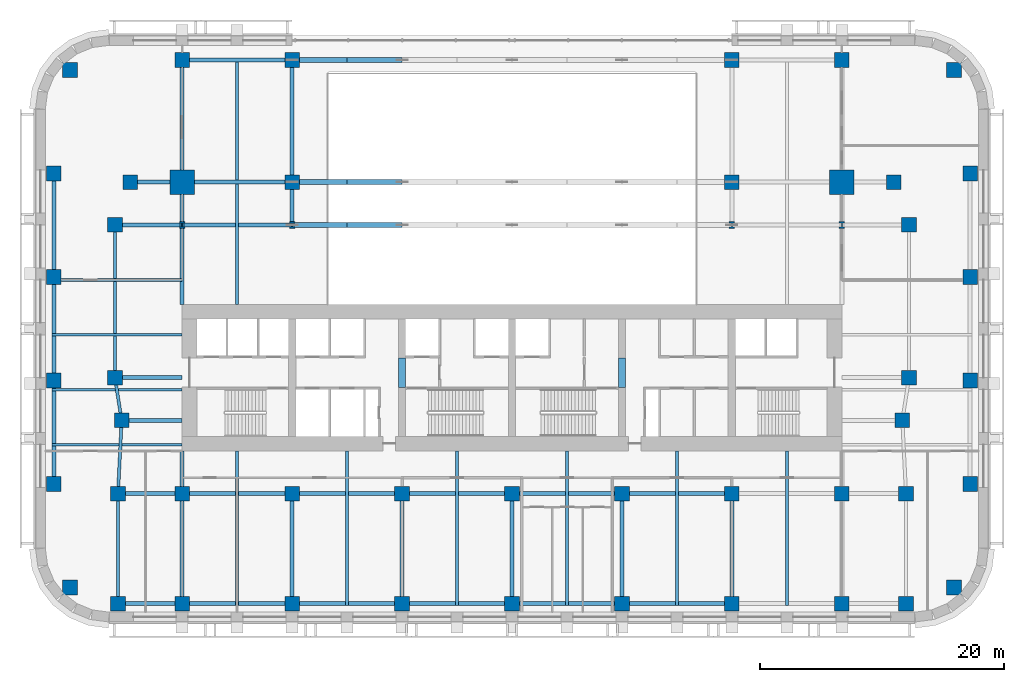
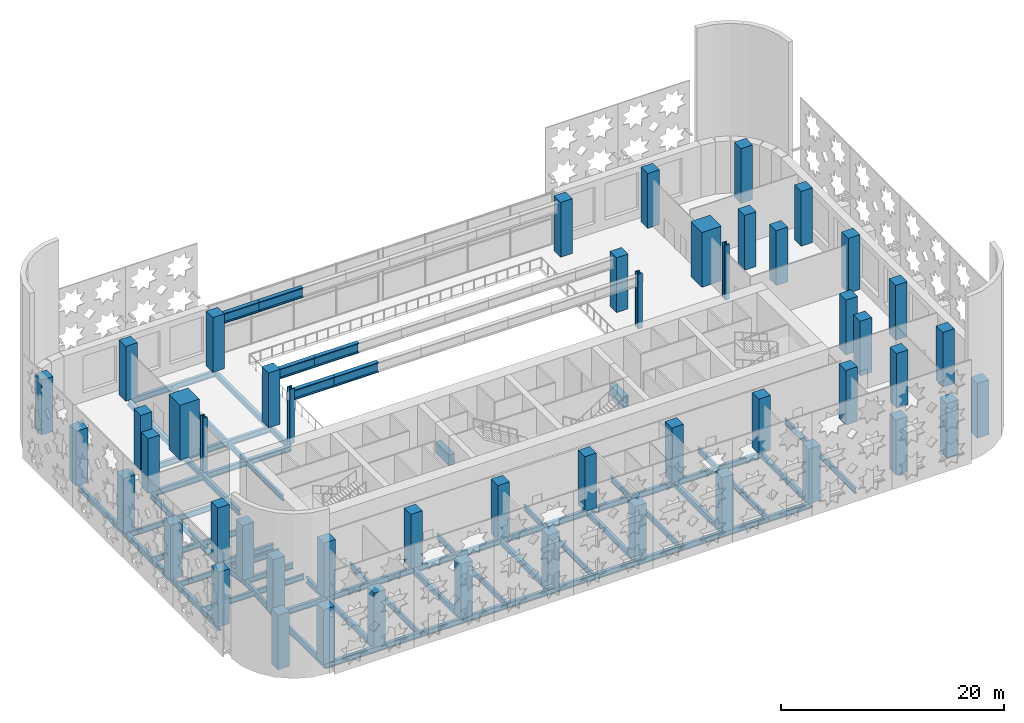
# One storey, part 1 of 17: 50 columns, 39 beams, 6 members.
"""IFC4 building model written with IfcOpenShell, lengths in metres."""

from ifc_helpers import new_model, si_unit, direction, frame, origin, origin_2d, place, context, subcontext, project, spatial, rectangle, i_section, extrude, material, material_profile, profile_set, type_object, element, save


model = new_model("IFC4")

# Units and contexts
model_context = context("Model", 3, precision=1e-05, world=origin(), true_north=direction((0.0, 1.0)))
body_context = subcontext(model_context, "Body", "Model", "MODEL_VIEW")
ifc_project = project(units=[si_unit("LENGTHUNIT", "METRE"), si_unit("AREAUNIT", "SQUARE_METRE"), si_unit("VOLUMEUNIT", "CUBIC_METRE"), si_unit("PLANEANGLEUNIT", "RADIAN"), si_unit("MASSUNIT", "GRAM", prefix="KILO")], contexts=[model_context])

# Site, building, storey
site_placement = place(None, origin())
site = spatial("IfcSite", under=ifc_project, at=site_placement, CompositionType="ELEMENT")
building_placement = place(site_placement, origin())
building = spatial("IfcBuilding", under=site, at=building_placement, Name="Zellij Exchange Tower", CompositionType="ELEMENT")
storey_placement = place(building_placement, frame((0.0, 0.0, 21.0)))
storey = spatial("IfcBuildingStorey", under=building, at=storey_placement, Name="L03", CompositionType="ELEMENT", Elevation=21.0)

# Columns
ifc_material_1 = material(Name="Concrete C70/85", Category="concrete")
ifc_material_profile_1 = material_profile(ifc_material_1, rectangle(XDim=1.199951171875, YDim=1.199951171875, at=origin_2d()), Name="STR-COLUMN RC1200x1200 C70/85")
ifc_profile_set_1 = profile_set([ifc_material_profile_1], Name="Concrete C70/85")
column_type_1 = type_object("IfcColumnType", Name="STR-COLUMN RC1200x1200 C70/85", PredefinedType="COLUMN", material=ifc_profile_set_1)
for number, where, z_axis, x_axis, name in (
    (1, (-32.25, -26.5, 0.0), (0.0, 0.0, 1.0), (1.0, 0.0, 0.0), "C12"),
    (2, (-27.0, -26.5, 0.0), (0.0, 0.0, 1.0), (1.0, 0.0, 0.0), "C12"),
    (3, (-18.0, -26.5, 0.0), (0.0, 0.0, 1.0), (1.0, 0.0, 0.0), "C12"),
    (4, (-9.0, -26.5, 0.0), (0.0, 0.0, 1.0), (1.0, 0.0, 0.0), "C12"),
    (5, (0.0, -26.5, 0.0), (0.0, 0.0, 1.0), (1.0, 0.0, 0.0), "C12"),
    (6, (9.0, -26.5, 0.0), (0.0, 0.0, 1.0), (1.0, 0.0, 0.0), "C12"),
    (7, (18.0, -26.5, 0.0), (0.0, 0.0, 1.0), (1.0, 0.0, 0.0), "C12"),
    (8, (27.0, -26.5, 0.0), (0.0, 0.0, 1.0), (1.0, 0.0, 0.0), "C12"),
    (9, (32.25, -26.5, 0.0), (0.0, 0.0, 1.0), (1.0, 0.0, 0.0), "C12"),
    (10, (-36.181884765625, -25.181884765625, 0.0), (0.0, 0.0, 1.0), (1.0, 0.0, 0.0), "C12"),
    (11, (36.181884765625, -25.181884765625, 0.0), (0.0, 0.0, 1.0), (1.0, 0.0, 0.0), "C12"),
    (12, (-32.25, -17.5, 0.0), (0.0, 0.0, 1.0), (1.0, 0.0, 0.0), "C12"),
    (13, (-27.0, -17.5, 0.0), (0.0, 0.0, 1.0), (1.0, 0.0, 0.0), "C12"),
    (14, (-18.0, -17.5, 0.0), (0.0, 0.0, 1.0), (1.0, 0.0, 0.0), "C12"),
    (15, (-9.0, -17.5, 0.0), (0.0, 0.0, 1.0), (1.0, 0.0, 0.0), "C12"),
    (16, (0.0, -17.5, 0.0), (0.0, 0.0, 1.0), (1.0, 0.0, 0.0), "C12"),
    (17, (9.0, -17.5, 0.0), (0.0, 0.0, 1.0), (1.0, 0.0, 0.0), "C12"),
    (18, (18.0, -17.5, 0.0), (0.0, 0.0, 1.0), (1.0, 0.0, 0.0), "C12"),
    (19, (27.0, -17.5, 0.0), (0.0, 0.0, 1.0), (1.0, 0.0, 0.0), "C12"),
    (20, (32.25, -17.5, 0.0), (0.0, 0.0, 1.0), (1.0, 0.0, 0.0), "C12"),
    (21, (-37.5, -16.709228515625, 0.0), (0.0, 0.0, 1.0), (1.0, 0.0, 0.0), "C12"),
    (22, (37.5, -16.709228515625, 0.0), (0.0, 0.0, 1.0), (1.0, 0.0, 0.0), "C12"),
    (23, (-31.949951171875, -11.5, 0.0), (0.0, 0.0, 1.0), (1.0, 0.0, 0.0), "C12"),
    (24, (31.949951171875, -11.5, 0.0), (0.0, 0.0, 1.0), (1.0, 0.0, 0.0), "C12"),
    (25, (-37.5, -8.236328125, 0.0), (0.0, 0.0, 1.0), (1.0, 0.0, 0.0), "C12"),
    (26, (37.5, -8.236328125, 0.0), (0.0, 0.0, 1.0), (1.0, 0.0, 0.0), "C12"),
    (27, (-32.5, -8.0, 0.0), (0.0, 0.0, 1.0), (1.0, 0.0, 0.0), "C12"),
    (28, (32.5, -8.0, 0.0), (0.0, 0.0, 1.0), (1.0, 0.0, 0.0), "C12"),
    (29, (-37.5, 0.236328125, 0.0), (0.0, 0.0, 1.0), (1.0, 0.0, 0.0), "C12"),
    (30, (37.5, 0.236328125, 0.0), (0.0, 0.0, 1.0), (1.0, 0.0, 0.0), "C12"),
    (31, (-32.5, 4.5, 0.0), (0.0, 0.0, 1.0), (1.0, 0.0, 0.0), "C12"),
    (32, (32.5, 4.5, 0.0), (0.0, 0.0, 1.0), (1.0, 0.0, 0.0), "C12"),
    (33, (-31.25, 8.0, 0.0), (0.0, 0.0, 1.0), (1.0, 0.0, 0.0), "C12"),
    (34, (-18.0, 8.0, 0.0), (0.0, 0.0, 1.0), (1.0, 0.0, 0.0), "C12"),
    (35, (18.0, 8.0, 0.0), (0.0, 0.0, 1.0), (1.0, 0.0, 0.0), "C12"),
    (36, (31.25, 8.0, 0.0), (0.0, 0.0, 1.0), (1.0, 0.0, 0.0), "C12"),
    (37, (-37.5, 8.709228515625, 0.0), (0.0, 0.0, 1.0), (1.0, 0.0, 0.0), "C12"),
    (38, (37.5, 8.709228515625, 0.0), (0.0, 0.0, 1.0), (1.0, 0.0, 0.0), "C12"),
    (39, (-36.181884765625, 17.181884765625, 0.0), (0.0, 0.0, 1.0), (1.0, 0.0, 0.0), "C12"),
    (40, (36.181884765625, 17.181884765625, 0.0), (0.0, 0.0, 1.0), (1.0, 0.0, 0.0), "C12"),
    (41, (-27.0, 18.0, 0.0), (0.0, 0.0, 1.0), (1.0, 0.0, 0.0), "C12"),
    (42, (-18.0, 18.0, 0.0), (0.0, 0.0, 1.0), (1.0, 0.0, 0.0), "C12"),
    (43, (18.0, 18.0, 0.0), (0.0, 0.0, 1.0), (1.0, 0.0, 0.0), "C12"),
    (44, (27.0, 18.0, 0.0), (0.0, 0.0, 1.0), (1.0, 0.0, 0.0), "C12"),
):
    element("IfcColumn", number, at=place(storey_placement, frame(where, z_axis=z_axis, x_axis=x_axis)), inside=storey, type_object=column_type_1, Name=name, PredefinedType="COLUMN", context=body_context, shape_type="SweptSolid", body=[
        extrude(rectangle(XDim=1.199951171875, YDim=1.199951171875, at=origin_2d()), origin(), (0.0, 0.0, 1.0), 6.0),
    ])
ifc_material_2 = material(Name="Structural steel ASTM A913 Gr 65", Category="steel")
ifc_material_profile_2 = material_profile(ifc_material_2, i_section(OverallWidth=0.45458984375, OverallDepth=0.56884765625, WebThickness=0.077880859375, FlangeThickness=0.124755859375, at=origin_2d()), Name="W14x730")
ifc_profile_set_2 = profile_set([ifc_material_profile_2], Name="Structural steel ASTM A913 Gr 65")
column_type_2 = type_object("IfcColumnType", Name="STR-COLUMN W14x730", PredefinedType="COLUMN", material=ifc_profile_set_2)
for number, where, z_axis, x_axis, name in (
    (45, (-27.0, 4.5, 0.0), (0.0, 0.0, 1.0), (1.0, 0.0, 0.0), "C7"),
    (46, (-18.0, 4.5, 0.0), (0.0, 0.0, 1.0), (1.0, 0.0, 0.0), "C7"),
    (47, (18.0, 4.5, 0.0), (0.0, 0.0, 1.0), (1.0, 0.0, 0.0), "C7"),
    (48, (27.0, 4.5, 0.0), (0.0, 0.0, 1.0), (1.0, 0.0, 0.0), "C7"),
):
    element("IfcColumn", number, at=place(storey_placement, frame(where, z_axis=z_axis, x_axis=x_axis)), inside=storey, type_object=column_type_2, Name=name, PredefinedType="COLUMN", context=body_context, shape_type="SweptSolid", body=[
        extrude(i_section(OverallWidth=0.45458984375, OverallDepth=0.56884765625, WebThickness=0.077880859375, FlangeThickness=0.124755859375, at=origin_2d()), origin(), (0.0, 0.0, 1.0), 6.0),
    ])
ifc_material_profile_3 = material_profile(ifc_material_1, rectangle(XDim=2.0, YDim=2.0, at=origin_2d()), Name="STR-MEGA COLUMN RC2000x2000 C70/85")
ifc_profile_set_3 = profile_set([ifc_material_profile_3], Name="Concrete C70/85")
column_type_3 = type_object("IfcColumnType", Name="STR-MEGA COLUMN RC2000x2000 C70/85", PredefinedType="COLUMN", material=ifc_profile_set_3)
for number, where, z_axis, x_axis, name in (
    (49, (-27.0, 8.0, 0.0), (0.0, 0.0, 1.0), (1.0, 0.0, 0.0), "MC8"),
    (50, (27.0, 8.0, 0.0), (0.0, 0.0, 1.0), (1.0, 0.0, 0.0), "MC8"),
):
    element("IfcColumn", number, at=place(storey_placement, frame(where, z_axis=z_axis, x_axis=x_axis)), inside=storey, type_object=column_type_3, Name=name, PredefinedType="COLUMN", context=body_context, shape_type="SweptSolid", body=[
        extrude(rectangle(XDim=2.0, YDim=2.0, at=origin_2d()), origin(), (0.0, 0.0, 1.0), 6.0),
    ])

# Beams
ifc_material_profile_4 = material_profile(ifc_material_1, rectangle(XDim=0.60009765625, YDim=1.199951171875, at=origin_2d()), Name="CORE-CB 600x1200 C70/85")
ifc_profile_set_4 = profile_set([ifc_material_profile_4], Name="Concrete C70/85")
beam_type_1 = type_object("IfcBeamType", Name="CORE-CB 600x1200 C70/85", PredefinedType="BEAM", material=ifc_profile_set_4)
for number, where, z_axis, x_axis, name in (
    (51, (-9.0, -8.800048828125, 3.0), (0.0, 1.0, 0.0), (-1.0, 0.0, 0.0), "Core coupling beam x -9 L03"),
    (52, (9.0, -8.800048828125, 3.0), (0.0, 1.0, 0.0), (-1.0, 0.0, 0.0), "Core coupling beam x 9 L03"),
):
    element("IfcBeam", number, at=place(storey_placement, frame(where, z_axis=z_axis, x_axis=x_axis)), inside=storey, type_object=beam_type_1, Name=name, PredefinedType="BEAM", context=body_context, shape_type="SweptSolid", body=[
        extrude(rectangle(XDim=0.60009765625, YDim=1.199951171875, at=origin_2d()), origin(), (0.0, 0.0, 1.0), 2.425048828125),
    ])
ifc_material_3 = material(Name="Structural steel ASTM A992 Gr 50", Category="steel")
ifc_material_profile_5 = material_profile(ifc_material_3, i_section(OverallWidth=0.22900390625, OverallDepth=0.612060546875, WebThickness=0.011962890625, FlangeThickness=0.01953125, at=origin_2d()), Name="W24x84")
ifc_profile_set_5 = profile_set([ifc_material_profile_5], Name="Structural steel ASTM A992 Gr 50")
beam_type_2 = type_object("IfcBeamType", Name="STR-BEAM W24x84", PredefinedType="BEAM", material=ifc_profile_set_5)
beam_1_placement = place(storey_placement, frame((-22.5, -26.66259765625, -0.606201171875), z_axis=(0.0, 1.0, 0.0), x_axis=(-1.0, 0.0, 0.0)))
element("IfcBeam", 53, at=beam_1_placement, inside=storey, type_object=beam_type_2, Name="B6", PredefinedType="BEAM", context=body_context, shape_type="SweptSolid", body=[
    extrude(i_section(OverallWidth=0.22900390625, OverallDepth=0.612060546875, WebThickness=0.011962890625, FlangeThickness=0.01953125, at=origin_2d()), origin(), (0.0, 0.0, 1.0), 12.66259765625),
])
beam_2_placement = place(storey_placement, frame((-22.5, -2.0, -0.606201171875), z_axis=(0.0, 1.0, 0.0), x_axis=(-1.0, 0.0, 0.0)))
element("IfcBeam", 54, at=beam_2_placement, inside=storey, type_object=beam_type_2, Name="B6", PredefinedType="BEAM", context=body_context, shape_type="SweptSolid", body=[
    extrude(i_section(OverallWidth=0.22900390625, OverallDepth=0.612060546875, WebThickness=0.011962890625, FlangeThickness=0.01953125, at=origin_2d()), origin(), (0.0, 0.0, 1.0), 20.16259765625),
])
for number, where, z_axis, x_axis, name in (
    (55, (-13.5, -26.66259765625, -0.606201171875), (0.0, 1.0, 0.0), (-1.0, 0.0, 0.0), "B6"),
    (56, (-4.5, -26.66259765625, -0.606201171875), (0.0, 1.0, 0.0), (-1.0, 0.0, 0.0), "B6"),
    (57, (4.5, -26.66259765625, -0.606201171875), (0.0, 1.0, 0.0), (-1.0, 0.0, 0.0), "B6"),
    (58, (13.5, -26.66259765625, -0.606201171875), (0.0, 1.0, 0.0), (-1.0, 0.0, 0.0), "B6"),
    (59, (22.5, -26.66259765625, -0.606201171875), (0.0, 1.0, 0.0), (-1.0, 0.0, 0.0), "B6"),
):
    element("IfcBeam", number, at=place(storey_placement, frame(where, z_axis=z_axis, x_axis=x_axis)), inside=storey, type_object=beam_type_2, Name=name, PredefinedType="BEAM", context=body_context, shape_type="SweptSolid", body=[
        extrude(i_section(OverallWidth=0.22900390625, OverallDepth=0.612060546875, WebThickness=0.011962890625, FlangeThickness=0.01953125, at=origin_2d()), origin(), (0.0, 0.0, 1.0), 12.66259765625),
    ])
for number, where, z_axis, x_axis, name in (
    (60, (-37.66259765625, -13.5, -0.606201171875), (1.0, 0.0, 0.0), (0.0, 1.0, 0.0), "B6"),
    (61, (-37.66259765625, -9.0, -0.606201171875), (1.0, 0.0, 0.0), (0.0, 1.0, 0.0), "B6"),
    (62, (-37.66259765625, -4.5, -0.606201171875), (1.0, 0.0, 0.0), (0.0, 1.0, 0.0), "B6"),
    (63, (-37.66259765625, 0.0, -0.606201171875), (1.0, 0.0, 0.0), (0.0, 1.0, 0.0), "B6"),
):
    element("IfcBeam", number, at=place(storey_placement, frame(where, z_axis=z_axis, x_axis=x_axis)), inside=storey, type_object=beam_type_2, Name=name, PredefinedType="BEAM", context=body_context, shape_type="SweptSolid", body=[
        extrude(i_section(OverallWidth=0.22900390625, OverallDepth=0.612060546875, WebThickness=0.011962890625, FlangeThickness=0.01953125, at=origin_2d()), origin(), (0.0, 0.0, 1.0), 10.66259765625),
    ])
ifc_material_profile_6 = material_profile(ifc_material_3, i_section(OverallWidth=0.25390625, OverallDepth=0.67822265625, WebThickness=0.01171875, FlangeThickness=0.016357421875, at=origin_2d()), Name="W27x84")
ifc_profile_set_6 = profile_set([ifc_material_profile_6], Name="Structural steel ASTM A992 Gr 50")
beam_type_3 = type_object("IfcBeamType", Name="STR-EDGE GIRDER W27x84", PredefinedType="BEAM", material=ifc_profile_set_6)
beam_3_placement = place(storey_placement, frame((-32.25, -26.5, -0.63916015625), z_axis=(0.0, 1.0, 0.0), x_axis=(-1.0, 0.0, 0.0)))
element("IfcBeam", 64, at=beam_3_placement, inside=storey, type_object=beam_type_3, Name="EB7", PredefinedType="BEAM", context=body_context, shape_type="SweptSolid", body=[
    extrude(i_section(OverallWidth=0.25390625, OverallDepth=0.67822265625, WebThickness=0.01171875, FlangeThickness=0.016357421875, at=origin_2d()), origin(), (0.0, 0.0, 1.0), 9.0),
])
beam_4_placement = place(storey_placement, frame((-32.25, -17.5, -0.63916015625), z_axis=(0.049945724537, 0.998751933465, 0.0), x_axis=(-0.998751933465, 0.049945724537, 0.0)))
element("IfcBeam", 65, at=beam_4_placement, inside=storey, type_object=beam_type_3, Name="EB7", PredefinedType="BEAM", context=body_context, shape_type="SweptSolid", body=[
    extrude(i_section(OverallWidth=0.25390625, OverallDepth=0.67822265625, WebThickness=0.01171875, FlangeThickness=0.016357421875, at=origin_2d()), origin(), (0.0, 0.0, 1.0), 6.007568359375),
])
beam_5_placement = place(storey_placement, frame((-31.949951171875, -11.5, -0.63916015625), z_axis=(-0.155251283593, 0.987875011802, 0.0), x_axis=(-0.987875011802, -0.155251283593, 0.0)))
element("IfcBeam", 66, at=beam_5_placement, inside=storey, type_object=beam_type_3, Name="EB7", PredefinedType="BEAM", context=body_context, shape_type="SweptSolid", body=[
    extrude(i_section(OverallWidth=0.25390625, OverallDepth=0.67822265625, WebThickness=0.01171875, FlangeThickness=0.016357421875, at=origin_2d()), origin(), (0.0, 0.0, 1.0), 3.54296875),
])
beam_6_placement = place(storey_placement, frame((-32.5, -8.0, -0.63916015625), z_axis=(0.0, 1.0, 0.0), x_axis=(-1.0, 0.0, 0.0)))
element("IfcBeam", 67, at=beam_6_placement, inside=storey, type_object=beam_type_3, Name="EB7", PredefinedType="BEAM", context=body_context, shape_type="SweptSolid", body=[
    extrude(i_section(OverallWidth=0.25390625, OverallDepth=0.67822265625, WebThickness=0.01171875, FlangeThickness=0.016357421875, at=origin_2d()), origin(), (0.0, 0.0, 1.0), 12.5),
])
ifc_material_profile_7 = material_profile(ifc_material_3, i_section(OverallWidth=0.3251953125, OverallDepth=0.612060546875, WebThickness=0.0126953125, FlangeThickness=0.01904296875, at=origin_2d()), Name="W24x104")
ifc_profile_set_7 = profile_set([ifc_material_profile_7], Name="Structural steel ASTM A992 Gr 50")
beam_type_4 = type_object("IfcBeamType", Name="STR-GIRDER W24x104", PredefinedType="BEAM", material=ifc_profile_set_7)
beam_7_placement = place(storey_placement, frame((-32.25, -26.5, -0.606201171875), z_axis=(1.0, 0.0, 0.0), x_axis=(0.0, 1.0, 0.0)))
element("IfcBeam", 68, at=beam_7_placement, inside=storey, type_object=beam_type_4, Name="G3", PredefinedType="BEAM", context=body_context, shape_type="SweptSolid", body=[
    extrude(i_section(OverallWidth=0.3251953125, OverallDepth=0.612060546875, WebThickness=0.0126953125, FlangeThickness=0.01904296875, at=origin_2d()), origin(), (0.0, 0.0, 1.0), 14.25),
])
for number, where, z_axis, x_axis, name in (
    (69, (-18.0, -26.5, -0.606201171875), (1.0, 0.0, 0.0), (0.0, 1.0, 0.0), "G3"),
    (70, (0.0, -26.5, -0.606201171875), (1.0, 0.0, 0.0), (0.0, 1.0, 0.0), "G3"),
):
    element("IfcBeam", number, at=place(storey_placement, frame(where, z_axis=z_axis, x_axis=x_axis)), inside=storey, type_object=beam_type_4, Name=name, PredefinedType="BEAM", context=body_context, shape_type="SweptSolid", body=[
        extrude(i_section(OverallWidth=0.3251953125, OverallDepth=0.612060546875, WebThickness=0.0126953125, FlangeThickness=0.01904296875, at=origin_2d()), origin(), (0.0, 0.0, 1.0), 18.0),
    ])
beam_8_placement = place(storey_placement, frame((-32.25, -17.5, -0.606201171875), z_axis=(1.0, 0.0, 0.0), x_axis=(0.0, 1.0, 0.0)))
element("IfcBeam", 71, at=beam_8_placement, inside=storey, type_object=beam_type_4, Name="G3", PredefinedType="BEAM", context=body_context, shape_type="SweptSolid", body=[
    extrude(i_section(OverallWidth=0.3251953125, OverallDepth=0.612060546875, WebThickness=0.0126953125, FlangeThickness=0.01904296875, at=origin_2d()), origin(), (0.0, 0.0, 1.0), 14.25),
])
for number, where, z_axis, x_axis, name in (
    (72, (-18.0, -17.5, -0.606201171875), (1.0, 0.0, 0.0), (0.0, 1.0, 0.0), "G3"),
    (73, (0.0, -17.5, -0.606201171875), (1.0, 0.0, 0.0), (0.0, 1.0, 0.0), "G3"),
):
    element("IfcBeam", number, at=place(storey_placement, frame(where, z_axis=z_axis, x_axis=x_axis)), inside=storey, type_object=beam_type_4, Name=name, PredefinedType="BEAM", context=body_context, shape_type="SweptSolid", body=[
        extrude(i_section(OverallWidth=0.3251953125, OverallDepth=0.612060546875, WebThickness=0.0126953125, FlangeThickness=0.01904296875, at=origin_2d()), origin(), (0.0, 0.0, 1.0), 18.0),
    ])
beam_9_placement = place(storey_placement, frame((-31.949951171875, -11.5, -0.606201171875), z_axis=(1.0, 0.0, 0.0), x_axis=(0.0, 1.0, 0.0)))
element("IfcBeam", 74, at=beam_9_placement, inside=storey, type_object=beam_type_4, Name="G3", PredefinedType="BEAM", context=body_context, shape_type="SweptSolid", body=[
    extrude(i_section(OverallWidth=0.3251953125, OverallDepth=0.612060546875, WebThickness=0.0126953125, FlangeThickness=0.01904296875, at=origin_2d()), origin(), (0.0, 0.0, 1.0), 4.949951171875),
])
beam_10_placement = place(storey_placement, frame((-32.5, -8.0, -0.606201171875), z_axis=(1.0, 0.0, 0.0), x_axis=(0.0, 1.0, 0.0)))
element("IfcBeam", 75, at=beam_10_placement, inside=storey, type_object=beam_type_4, Name="G3", PredefinedType="BEAM", context=body_context, shape_type="SweptSolid", body=[
    extrude(i_section(OverallWidth=0.3251953125, OverallDepth=0.612060546875, WebThickness=0.0126953125, FlangeThickness=0.01904296875, at=origin_2d()), origin(), (0.0, 0.0, 1.0), 5.5),
])
beam_11_placement = place(storey_placement, frame((-32.5, 4.5, -0.606201171875), z_axis=(1.0, 0.0, 0.0), x_axis=(0.0, 1.0, 0.0)))
element("IfcBeam", 76, at=beam_11_placement, inside=storey, type_object=beam_type_4, Name="G3", PredefinedType="BEAM", context=body_context, shape_type="SweptSolid", body=[
    extrude(i_section(OverallWidth=0.3251953125, OverallDepth=0.612060546875, WebThickness=0.0126953125, FlangeThickness=0.01904296875, at=origin_2d()), origin(), (0.0, 0.0, 1.0), 14.5),
])
beam_12_placement = place(storey_placement, frame((-31.25, 8.0, -0.606201171875), z_axis=(1.0, 0.0, 0.0), x_axis=(0.0, 1.0, 0.0)))
element("IfcBeam", 77, at=beam_12_placement, inside=storey, type_object=beam_type_4, Name="G3", PredefinedType="BEAM", context=body_context, shape_type="SweptSolid", body=[
    extrude(i_section(OverallWidth=0.3251953125, OverallDepth=0.612060546875, WebThickness=0.0126953125, FlangeThickness=0.01904296875, at=origin_2d()), origin(), (0.0, 0.0, 1.0), 13.25),
])
beam_13_placement = place(storey_placement, frame((-27.0, 18.0, -0.606201171875), z_axis=(1.0, 0.0, 0.0), x_axis=(0.0, 1.0, 0.0)))
element("IfcBeam", 78, at=beam_13_placement, inside=storey, type_object=beam_type_4, Name="G3", PredefinedType="BEAM", context=body_context, shape_type="SweptSolid", body=[
    extrude(i_section(OverallWidth=0.3251953125, OverallDepth=0.612060546875, WebThickness=0.0126953125, FlangeThickness=0.01904296875, at=origin_2d()), origin(), (0.0, 0.0, 1.0), 9.0),
])
beam_14_placement = place(storey_placement, frame((-37.5, -16.708984375, -0.606201171875), z_axis=(0.0, 1.0, 0.0), x_axis=(-1.0, 0.0, 0.0)))
element("IfcBeam", 79, at=beam_14_placement, inside=storey, type_object=beam_type_4, Name="G3", PredefinedType="BEAM", context=body_context, shape_type="SweptSolid", body=[
    extrude(i_section(OverallWidth=0.3251953125, OverallDepth=0.612060546875, WebThickness=0.0126953125, FlangeThickness=0.01904296875, at=origin_2d()), origin(), (0.0, 0.0, 1.0), 16.945068359375),
])
beam_15_placement = place(storey_placement, frame((-37.5, 0.236083984375, -0.606201171875), z_axis=(0.0, 1.0, 0.0), x_axis=(-1.0, 0.0, 0.0)))
element("IfcBeam", 80, at=beam_15_placement, inside=storey, type_object=beam_type_4, Name="G3", PredefinedType="BEAM", context=body_context, shape_type="SweptSolid", body=[
    extrude(i_section(OverallWidth=0.3251953125, OverallDepth=0.612060546875, WebThickness=0.0126953125, FlangeThickness=0.01904296875, at=origin_2d()), origin(), (0.0, 0.0, 1.0), 8.472900390625),
])
beam_16_placement = place(storey_placement, frame((-27.0, -26.5, -0.606201171875), z_axis=(0.0, 1.0, 0.0), x_axis=(-1.0, 0.0, 0.0)))
element("IfcBeam", 81, at=beam_16_placement, inside=storey, type_object=beam_type_4, Name="G3", PredefinedType="BEAM", context=body_context, shape_type="SweptSolid", body=[
    extrude(i_section(OverallWidth=0.3251953125, OverallDepth=0.612060546875, WebThickness=0.0126953125, FlangeThickness=0.01904296875, at=origin_2d()), origin(), (0.0, 0.0, 1.0), 12.5),
])
for number, where, z_axis, x_axis, name in (
    (82, (-27.0, -2.0, -0.606201171875), (0.0, 1.0, 0.0), (-1.0, 0.0, 0.0), "G3"),
    (83, (-27.0, 8.0, -0.606201171875), (0.0, 1.0, 0.0), (-1.0, 0.0, 0.0), "G3"),
):
    element("IfcBeam", number, at=place(storey_placement, frame(where, z_axis=z_axis, x_axis=x_axis)), inside=storey, type_object=beam_type_4, Name=name, PredefinedType="BEAM", context=body_context, shape_type="SweptSolid", body=[
        extrude(i_section(OverallWidth=0.3251953125, OverallDepth=0.612060546875, WebThickness=0.0126953125, FlangeThickness=0.01904296875, at=origin_2d()), origin(), (0.0, 0.0, 1.0), 10.0),
    ])
beam_17_placement = place(storey_placement, frame((-18.0, -26.5, -0.606201171875), z_axis=(0.0, 1.0, 0.0), x_axis=(-1.0, 0.0, 0.0)))
element("IfcBeam", 84, at=beam_17_placement, inside=storey, type_object=beam_type_4, Name="G3", PredefinedType="BEAM", context=body_context, shape_type="SweptSolid", body=[
    extrude(i_section(OverallWidth=0.3251953125, OverallDepth=0.612060546875, WebThickness=0.0126953125, FlangeThickness=0.01904296875, at=origin_2d()), origin(), (0.0, 0.0, 1.0), 9.0),
])
beam_18_placement = place(storey_placement, frame((-18.0, 4.5, -0.606201171875), z_axis=(0.0, 1.0, 0.0), x_axis=(-1.0, 0.0, 0.0)))
element("IfcBeam", 85, at=beam_18_placement, inside=storey, type_object=beam_type_4, Name="G3", PredefinedType="BEAM", context=body_context, shape_type="SweptSolid", body=[
    extrude(i_section(OverallWidth=0.3251953125, OverallDepth=0.612060546875, WebThickness=0.0126953125, FlangeThickness=0.01904296875, at=origin_2d()), origin(), (0.0, 0.0, 1.0), 13.5),
])
for number, where, z_axis, x_axis, name in (
    (86, (-9.0, -26.5, -0.606201171875), (0.0, 1.0, 0.0), (-1.0, 0.0, 0.0), "G3"),
    (87, (0.0, -26.5, -0.606201171875), (0.0, 1.0, 0.0), (-1.0, 0.0, 0.0), "G3"),
    (88, (9.0, -26.5, -0.606201171875), (0.0, 1.0, 0.0), (-1.0, 0.0, 0.0), "G3"),
    (89, (18.0, -26.5, -0.606201171875), (0.0, 1.0, 0.0), (-1.0, 0.0, 0.0), "G3"),
):
    element("IfcBeam", number, at=place(storey_placement, frame(where, z_axis=z_axis, x_axis=x_axis)), inside=storey, type_object=beam_type_4, Name=name, PredefinedType="BEAM", context=body_context, shape_type="SweptSolid", body=[
        extrude(i_section(OverallWidth=0.3251953125, OverallDepth=0.612060546875, WebThickness=0.0126953125, FlangeThickness=0.01904296875, at=origin_2d()), origin(), (0.0, 0.0, 1.0), 9.0),
    ])

# Members
ifc_material_profile_8 = material_profile(ifc_material_2, i_section(OverallWidth=0.424072265625, OverallDepth=1.09228515625, WebThickness=0.04541015625, FlangeThickness=0.08203125, at=origin_2d()), Name="W40x593")
ifc_profile_set_8 = profile_set([ifc_material_profile_8], Name="Structural steel ASTM A913 Gr 65")
member_type = type_object("IfcMemberType", Name="STR-PODIUM TRANSFER TRUSS CHORD W40x593", PredefinedType="CHORD", material=ifc_profile_set_8)
for number, where, z_axis, x_axis, name in (
    (90, (-18.0, 4.5, 5.15380859375), (1.0, 0.0, 0.0), (0.0, 1.0, 0.0), "PT1"),
    (91, (-13.5, 4.5, 5.15380859375), (1.0, 0.0, 0.0), (0.0, 1.0, 0.0), "PT1"),
    (92, (-18.0, 8.0, 5.15380859375), (1.0, 0.0, 0.0), (0.0, 1.0, 0.0), "PT1"),
    (93, (-13.5, 8.0, 5.15380859375), (1.0, 0.0, 0.0), (0.0, 1.0, 0.0), "PT1"),
    (94, (-18.0, 18.0, 5.15380859375), (1.0, 0.0, 0.0), (0.0, 1.0, 0.0), "PT1"),
    (95, (-13.5, 18.0, 5.15380859375), (1.0, 0.0, 0.0), (0.0, 1.0, 0.0), "PT1"),
):
    element("IfcMember", number, at=place(storey_placement, frame(where, z_axis=z_axis, x_axis=x_axis)), inside=storey, type_object=member_type, Name=name, PredefinedType="CHORD", context=body_context, shape_type="SweptSolid", body=[
        extrude(i_section(OverallWidth=0.424072265625, OverallDepth=1.09228515625, WebThickness=0.04541015625, FlangeThickness=0.08203125, at=origin_2d()), origin(), (0.0, 0.0, 1.0), 4.5),
    ])

save(model, "model.ifc")
